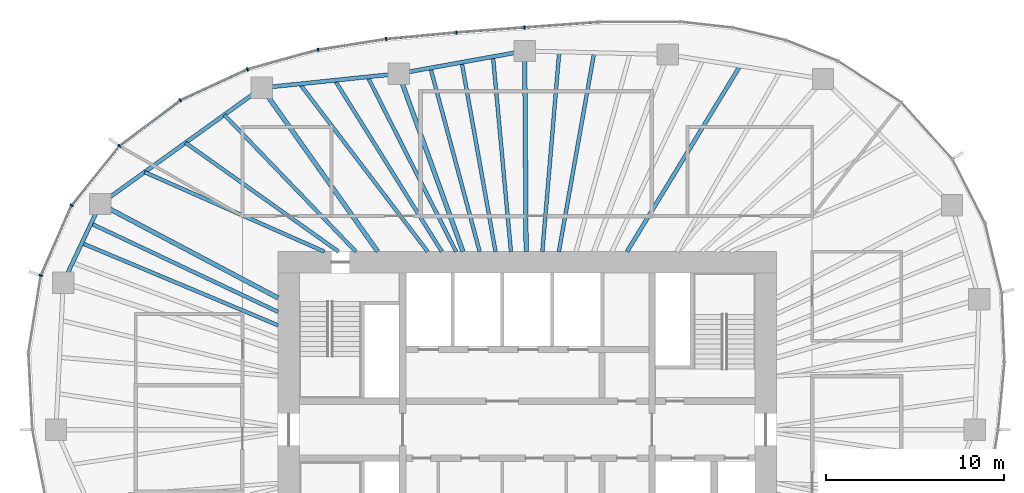
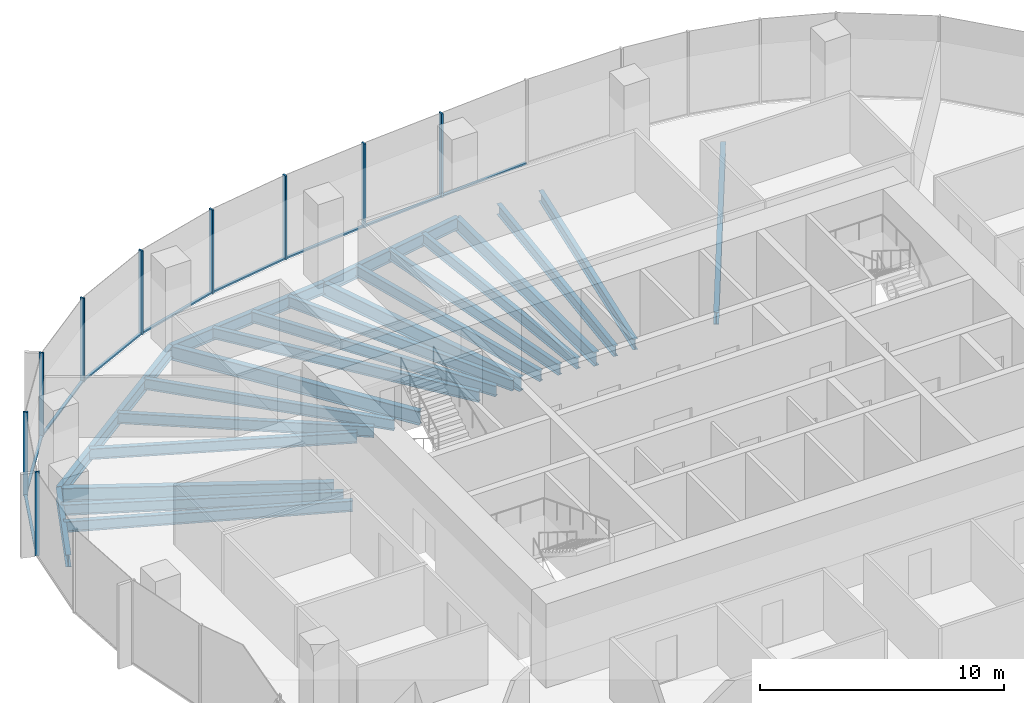
# One storey, part 5 of 11: 22 beams, 18 members, 6 elements without a shape of their own.
"""IFC4 building model written with IfcOpenShell, lengths in metres."""

from ifc_helpers import new_model, si_unit, direction, frame, origin, origin_2d, place, context, subcontext, project, spatial, rectangle, i_section, extrude, material, material_profile, profile_set, type_object, element, aggregate, save


model = new_model("IFC4")

# Units and contexts
model_context = context("Model", 3, precision=1e-05, world=origin(), true_north=direction((0.0, 1.0)))
body_context = subcontext(model_context, "Body", "Model", "MODEL_VIEW")
ifc_project = project(units=[si_unit("LENGTHUNIT", "METRE"), si_unit("AREAUNIT", "SQUARE_METRE"), si_unit("VOLUMEUNIT", "CUBIC_METRE"), si_unit("PLANEANGLEUNIT", "RADIAN"), si_unit("MASSUNIT", "GRAM", prefix="KILO")], contexts=[model_context])

# Site, building, storey
site_placement = place(None, origin())
site = spatial("IfcSite", under=ifc_project, at=site_placement, CompositionType="ELEMENT")
building_placement = place(site_placement, origin())
building = spatial("IfcBuilding", under=site, at=building_placement, Name="Ghaith Harvest Tower", CompositionType="ELEMENT")
storey_placement = place(building_placement, frame((0.0, 0.0, 257.800048828125)))
storey = spatial("IfcBuildingStorey", under=building, at=storey_placement, Name="L57", CompositionType="ELEMENT", Elevation=257.800048828125)

# Curtain wall, members
ifc_material_1 = material(Name="Black anodised aluminium and fritted glass", Category="aluminium")
curtain_wall_type = type_object("IfcCurtainWallType", Name="CW-H CURTAIN WALL", PredefinedType="NOTDEFINED", material=ifc_material_1)
curtain_wall_1_placement = place(storey_placement, origin())
curtain_wall_1 = element("IfcCurtainWall", 1, at=curtain_wall_1_placement, inside=storey, type_object=curtain_wall_type, Name="Curtain wall CW-H bay 06 L57", PredefinedType="NOTDEFINED")
ifc_material_2 = material(Name="Aluminium, black anodised", Category="aluminium")
ifc_material_profile_1 = material_profile(ifc_material_2, rectangle(XDim=0.080078125, YDim=0.199951171875, at=origin_2d()), Name="CW-H MULLION 80x200")
ifc_profile_set_1 = profile_set([ifc_material_profile_1], Name="Aluminium, black anodised")
member_type_1 = type_object("IfcMemberType", Name="CW-H MULLION 80x200", PredefinedType="MULLION", material=ifc_profile_set_1)
member_1_placement = place(storey_placement, frame((-0.154541015625, 22.590576171875, 0.0), z_axis=(0.0, 0.0, 1.0), x_axis=(-0.997329249665, -0.073036756239, 0.0)))
member_1 = element("IfcMember", 2, at=member_1_placement, type_object=member_type_1, Name="CW-H mullion 1 bay 06 L57", PredefinedType="MULLION", context=body_context, shape_type="SweptSolid", body=[
    extrude(rectangle(XDim=0.080078125, YDim=0.199951171875, at=origin_2d()), origin(), (0.0, 0.0, 1.0), 4.199951171875),
])
member_2_placement = place(storey_placement, frame((-3.984375, 22.310302734375, 0.0), z_axis=(0.0, 0.0, 1.0), x_axis=(-0.996522526822, -0.083323787336, 0.0)))
member_2 = element("IfcMember", 3, at=member_2_placement, type_object=member_type_1, Name="CW-H mullion 2 bay 06 L57", PredefinedType="MULLION", context=body_context, shape_type="SweptSolid", body=[
    extrude(rectangle(XDim=0.080078125, YDim=0.199951171875, at=origin_2d()), origin(), (0.0, 0.0, 1.0), 4.199951171875),
])

curtain_wall_2_placement = place(storey_placement, origin())
curtain_wall_2 = element("IfcCurtainWall", 4, at=curtain_wall_2_placement, inside=storey, type_object=curtain_wall_type, Name="Curtain wall CW-H bay 07 L57", PredefinedType="NOTDEFINED")
member_3_placement = place(storey_placement, frame((-7.924560546875, 21.94091796875, 0.0), z_axis=(0.0, 0.0, 1.0), x_axis=(-0.992235485325, -0.124373396119, 0.0)))
member_3 = element("IfcMember", 5, at=member_3_placement, type_object=member_type_1, Name="CW-H mullion 1 bay 07 L57", PredefinedType="MULLION", context=body_context, shape_type="SweptSolid", body=[
    extrude(rectangle(XDim=0.080078125, YDim=0.199951171875, at=origin_2d()), origin(), (0.0, 0.0, 1.0), 4.199951171875),
])
member_4_placement = place(storey_placement, frame((-11.75244140625, 21.336669921875, 0.0), z_axis=(0.0, 0.0, 1.0), x_axis=(-0.977086484172, -0.212842670646, 0.0)))
member_4 = element("IfcMember", 6, at=member_4_placement, type_object=member_type_1, Name="CW-H mullion 2 bay 07 L57", PredefinedType="MULLION", context=body_context, shape_type="SweptSolid", body=[
    extrude(rectangle(XDim=0.080078125, YDim=0.199951171875, at=origin_2d()), origin(), (0.0, 0.0, 1.0), 4.199951171875),
])

curtain_wall_3_placement = place(storey_placement, origin())
curtain_wall_3 = element("IfcCurtainWall", 7, at=curtain_wall_3_placement, inside=storey, type_object=curtain_wall_type, Name="Curtain wall CW-H bay 08 L57", PredefinedType="NOTDEFINED")
member_5_placement = place(storey_placement, frame((-15.720947265625, 20.242431640625, 0.0), z_axis=(0.0, 0.0, 1.0), x_axis=(-0.938930986476, -0.344105510906, 0.0)))
member_5 = element("IfcMember", 8, at=member_5_placement, type_object=member_type_1, Name="CW-H mullion 1 bay 08 L57", PredefinedType="MULLION", context=body_context, shape_type="SweptSolid", body=[
    extrude(rectangle(XDim=0.080078125, YDim=0.199951171875, at=origin_2d()), origin(), (0.0, 0.0, 1.0), 4.199951171875),
])
member_6_placement = place(storey_placement, frame((-19.4951171875, 18.4990234375, 0.0), z_axis=(0.0, 0.0, 1.0), x_axis=(-0.857998754004, -0.513651767376, 0.0)))
member_6 = element("IfcMember", 9, at=member_6_placement, type_object=member_type_1, Name="CW-H mullion 2 bay 08 L57", PredefinedType="MULLION", context=body_context, shape_type="SweptSolid", body=[
    extrude(rectangle(XDim=0.080078125, YDim=0.199951171875, at=origin_2d()), origin(), (0.0, 0.0, 1.0), 4.199951171875),
])

curtain_wall_4_placement = place(storey_placement, origin())
curtain_wall_4 = element("IfcCurtainWall", 10, at=curtain_wall_4_placement, inside=storey, type_object=curtain_wall_type, Name="Curtain wall CW-H bay 09 L57", PredefinedType="NOTDEFINED")
member_7_placement = place(storey_placement, frame((-22.908203125, 15.939697265625, 0.0), z_axis=(0.0, 0.0, 1.0), x_axis=(-0.719146135082, -0.694858860774, 0.0)))
member_7 = element("IfcMember", 11, at=member_7_placement, type_object=member_type_1, Name="CW-H mullion 1 bay 09 L57", PredefinedType="MULLION", context=body_context, shape_type="SweptSolid", body=[
    extrude(rectangle(XDim=0.080078125, YDim=0.199951171875, at=origin_2d()), origin(), (0.0, 0.0, 1.0), 4.199951171875),
])
member_8_placement = place(storey_placement, frame((-25.599609375, 12.6005859375, 0.0), z_axis=(0.0, 0.0, 1.0), x_axis=(-0.518769201232, -0.854914332464, 0.0)))
member_8 = element("IfcMember", 12, at=member_8_placement, type_object=member_type_1, Name="CW-H mullion 2 bay 09 L57", PredefinedType="MULLION", context=body_context, shape_type="SweptSolid", body=[
    extrude(rectangle(XDim=0.080078125, YDim=0.199951171875, at=origin_2d()), origin(), (0.0, 0.0, 1.0), 4.199951171875),
])

# Curtain wall, member
curtain_wall_5_placement = place(storey_placement, origin())
curtain_wall_5 = element("IfcCurtainWall", 13, at=curtain_wall_5_placement, inside=storey, type_object=curtain_wall_type, Name="Curtain wall CW-H bay 10 L57", PredefinedType="NOTDEFINED")
member_9_placement = place(storey_placement, frame((-27.32568359375, 8.659912109375, 0.0), z_axis=(0.0, 0.0, 1.0), x_axis=(-0.280520268431, -0.959848102045, 0.0)))
member_9 = element("IfcMember", 14, at=member_9_placement, type_object=member_type_1, Name="CW-H mullion 1 bay 10 L57", PredefinedType="MULLION", context=body_context, shape_type="SweptSolid", body=[
    extrude(rectangle(XDim=0.080078125, YDim=0.199951171875, at=origin_2d()), origin(), (0.0, 0.0, 1.0), 4.199951171875),
])
aggregate(curtain_wall_5, [member_9])

curtain_wall_6_placement = place(storey_placement, origin())
curtain_wall_6 = element("IfcCurtainWall", 15, at=curtain_wall_6_placement, inside=storey, type_object=curtain_wall_type, Name="Curtain wall CW-H bay 05 L57", PredefinedType="NOTDEFINED")
ifc_material_3 = material(Name="Aluminium, black anodised", Category="aluminium")
ifc_material_profile_2 = material_profile(ifc_material_3, rectangle(XDim=0.1298828125, YDim=0.080078125, at=origin_2d()), Name="CW-H TRANSOM 130x80")
ifc_profile_set_2 = profile_set([ifc_material_profile_2], Name="Aluminium, black anodised")
member_type_2 = type_object("IfcMemberType", Name="CW-H TRANSOM 130x80", PredefinedType="USERDEFINED", material=ifc_profile_set_2)
member_10_placement = place(storey_placement, frame((4.01953125, 22.896484375, 0.0400390625), z_axis=(-0.997325457985, -0.07308851384, 0.0), x_axis=(0.07308851384, -0.997325457985, 0.0)))
member_10 = element("IfcMember", 16, at=member_10_placement, type_object=member_type_2, Name="CW-H transom 2 bay 05 L57", ObjectType="TRANSOM", PredefinedType="USERDEFINED", context=body_context, shape_type="SweptSolid", body=[
    extrude(rectangle(XDim=0.1298828125, YDim=0.080078125, at=origin_2d()), origin(), (0.0, 0.0, 1.0), 4.145263671875),
])
aggregate(curtain_wall_6, [member_10])

# Member
member_11_placement = place(storey_placement, frame((-0.194580078125, 22.587646484375, 0.0400390625), z_axis=(-0.997332916649, -0.072986665689, 0.0), x_axis=(0.072986665689, -0.997332916649, 0.0)))
member_11 = element("IfcMember", 17, at=member_11_placement, type_object=member_type_2, Name="CW-H transom 1 bay 06 L57", ObjectType="TRANSOM", PredefinedType="USERDEFINED", context=body_context, shape_type="SweptSolid", body=[
    extrude(rectangle(XDim=0.1298828125, YDim=0.080078125, at=origin_2d()), origin(), (0.0, 0.0, 1.0), 3.759765625),
])

member_12_placement = place(storey_placement, frame((-4.024169921875, 22.306640625, 0.0400390625), z_axis=(-0.995631116984, -0.093373866217, 0.0), x_axis=(0.093373866217, -0.995631116984, 0.0)))
member_12 = element("IfcMember", 18, at=member_12_placement, type_object=member_type_2, Name="CW-H transom 2 bay 06 L57", ObjectType="TRANSOM", PredefinedType="USERDEFINED", context=body_context, shape_type="SweptSolid", body=[
    extrude(rectangle(XDim=0.1298828125, YDim=0.080078125, at=origin_2d()), origin(), (0.0, 0.0, 1.0), 3.87744140625),
])

aggregate(curtain_wall_1, [member_1, member_11, member_2, member_12])

member_13_placement = place(storey_placement, frame((-7.964111328125, 21.9345703125, 0.0400390625), z_axis=(-0.98776765914, -0.155932843097, 0.0), x_axis=(0.155932843097, -0.98776765914, 0.0)))
member_13 = element("IfcMember", 19, at=member_13_placement, type_object=member_type_2, Name="CW-H transom 1 bay 07 L57", ObjectType="TRANSOM", PredefinedType="USERDEFINED", context=body_context, shape_type="SweptSolid", body=[
    extrude(rectangle(XDim=0.1298828125, YDim=0.080078125, at=origin_2d()), origin(), (0.0, 0.0, 1.0), 3.795166015625),
])

member_14_placement = place(storey_placement, frame((-11.791015625, 21.325927734375, 0.0400390625), z_axis=(-0.964038584245, -0.265762315024, 0.0), x_axis=(0.265762315024, -0.964038584245, 0.0)))
member_14 = element("IfcMember", 20, at=member_14_placement, type_object=member_type_2, Name="CW-H transom 2 bay 07 L57", ObjectType="TRANSOM", PredefinedType="USERDEFINED", context=body_context, shape_type="SweptSolid", body=[
    extrude(rectangle(XDim=0.1298828125, YDim=0.080078125, at=origin_2d()), origin(), (0.0, 0.0, 1.0), 4.03662109375),
])

aggregate(curtain_wall_2, [member_3, member_13, member_4, member_14])

member_15_placement = place(storey_placement, frame((-15.75732421875, 20.2255859375, 0.0400390625), z_axis=(-0.907831404762, -0.419335355686, 0.0), x_axis=(0.419335355686, -0.907831404762, 0.0)))
member_15 = element("IfcMember", 21, at=member_15_placement, type_object=member_type_2, Name="CW-H transom 1 bay 08 L57", ObjectType="TRANSOM", PredefinedType="USERDEFINED", context=body_context, shape_type="SweptSolid", body=[
    extrude(rectangle(XDim=0.1298828125, YDim=0.080078125, at=origin_2d()), origin(), (0.0, 0.0, 1.0), 4.0771484375),
])

member_16_placement = place(storey_placement, frame((-19.527099609375, 18.47509765625, 0.0400390625), z_axis=(-0.800041988873, -0.599944010755, 0.0), x_axis=(0.599944010755, -0.800041988873, 0.0)))
member_16 = element("IfcMember", 22, at=member_16_placement, type_object=member_type_2, Name="CW-H transom 2 bay 08 L57", ObjectType="TRANSOM", PredefinedType="USERDEFINED", context=body_context, shape_type="SweptSolid", body=[
    extrude(rectangle(XDim=0.1298828125, YDim=0.080078125, at=origin_2d()), origin(), (0.0, 0.0, 1.0), 4.186279296875),
])

aggregate(curtain_wall_3, [member_5, member_15, member_6, member_16])

member_17_placement = place(storey_placement, frame((-22.933349609375, 15.90869140625, 0.0400390625), z_axis=(-0.6275347306, -0.778588570357, 0.0), x_axis=(0.778588570357, -0.6275347306, 0.0)))
member_17 = element("IfcMember", 23, at=member_17_placement, type_object=member_type_2, Name="CW-H transom 1 bay 09 L57", ObjectType="TRANSOM", PredefinedType="USERDEFINED", context=body_context, shape_type="SweptSolid", body=[
    extrude(rectangle(XDim=0.1298828125, YDim=0.080078125, at=origin_2d()), origin(), (0.0, 0.0, 1.0), 4.208740234375),
])

member_18_placement = place(storey_placement, frame((-25.61572265625, 12.56396484375, 0.0400390625), z_axis=(-0.401185844746, -0.915996680112, 0.0), x_axis=(0.915996680112, -0.401185844746, 0.0)))
member_18 = element("IfcMember", 24, at=member_18_placement, type_object=member_type_2, Name="CW-H transom 2 bay 09 L57", ObjectType="TRANSOM", PredefinedType="USERDEFINED", context=body_context, shape_type="SweptSolid", body=[
    extrude(rectangle(XDim=0.1298828125, YDim=0.080078125, at=origin_2d()), origin(), (0.0, 0.0, 1.0), 4.22216796875),
])

aggregate(curtain_wall_4, [member_7, member_17, member_8, member_18])

# Beams
ifc_material_4 = material(Name="Steel ASTM A992 Grade 50", Category="steel")
ifc_material_profile_3 = material_profile(ifc_material_4, i_section(OverallWidth=0.22900390625, OverallDepth=0.612060546875, WebThickness=0.011962890625, FlangeThickness=0.01953125, at=origin_2d()), Name="W610X125")
ifc_profile_set_3 = profile_set([ifc_material_profile_3], Name="Steel ASTM A992 Grade 50")
beam_type_1 = type_object("IfcBeamType", Name="E610-125 W610X125", PredefinedType="SPANDREL", material=ifc_profile_set_3)
beam_1_placement = place(storey_placement, frame((-0.14599609375, 21.27099609375, -0.47607421875), z_axis=(-0.984177047684, -0.177187863051, 0.0), x_axis=(0.177187863051, -0.984177047684, 0.0)))
element("IfcBeam", 25, at=beam_1_placement, inside=storey, type_object=beam_type_1, Name="Edge beam E06 L57", PredefinedType="SPANDREL", context=body_context, shape_type="SweptSolid", body=[
    extrude(i_section(OverallWidth=0.22900390625, OverallDepth=0.612060546875, WebThickness=0.011962890625, FlangeThickness=0.01953125, at=origin_2d()), origin(), (0.0, 0.0, 1.0), 7.189697265625),
])
beam_2_placement = place(storey_placement, frame((-7.221923828125, 19.9970703125, -0.47607421875), z_axis=(-0.994669141618, -0.103117887451, 0.0), x_axis=(0.103117887451, -0.994669141618, 0.0)))
element("IfcBeam", 26, at=beam_2_placement, inside=storey, type_object=beam_type_1, Name="Edge beam E07 L57", PredefinedType="SPANDREL", context=body_context, shape_type="SweptSolid", body=[
    extrude(i_section(OverallWidth=0.22900390625, OverallDepth=0.612060546875, WebThickness=0.011962890625, FlangeThickness=0.01953125, at=origin_2d()), origin(), (0.0, 0.0, 1.0), 7.730224609375),
])
beam_3_placement = place(storey_placement, frame((-14.910888671875, 19.199951171875, -0.47607421875), z_axis=(-0.812050311838, -0.583587432219, 0.0), x_axis=(0.583587432219, -0.812050311838, 0.0)))
element("IfcBeam", 27, at=beam_3_placement, inside=storey, type_object=beam_type_1, Name="Edge beam E08 L57", PredefinedType="SPANDREL", context=body_context, shape_type="SweptSolid", body=[
    extrude(i_section(OverallWidth=0.22900390625, OverallDepth=0.612060546875, WebThickness=0.011962890625, FlangeThickness=0.01953125, at=origin_2d()), origin(), (0.0, 0.0, 1.0), 11.175537109375),
])
beam_4_placement = place(storey_placement, frame((-23.986083984375, 12.677978515625, -0.47607421875), z_axis=(-0.426170247297, -0.904642979478, 0.0), x_axis=(0.904642979478, -0.426170247297, 0.0)))
element("IfcBeam", 28, at=beam_4_placement, inside=storey, type_object=beam_type_1, Name="Edge beam E09 L57", PredefinedType="SPANDREL", context=body_context, shape_type="SweptSolid", body=[
    extrude(i_section(OverallWidth=0.22900390625, OverallDepth=0.612060546875, WebThickness=0.011962890625, FlangeThickness=0.01953125, at=origin_2d()), origin(), (0.0, 0.0, 1.0), 4.882568359375),
])
ifc_material_5 = material(Name="Steel ASTM A992 Grade 50", Category="steel")
ifc_material_profile_4 = material_profile(ifc_material_5, i_section(OverallWidth=0.256103515625, OverallDepth=0.693115234375, WebThickness=0.014404296875, FlangeThickness=0.023681640625, at=origin_2d()), Name="W690X170")
ifc_profile_set_4 = profile_set([ifc_material_profile_4], Name="Steel ASTM A992 Grade 50")
beam_type_2 = type_object("IfcBeamType", Name="G690-170 W690X170", PredefinedType="BEAM", material=ifc_profile_set_4)
beam_5_placement = place(storey_placement, frame((-0.068359375, 10.0, -0.5166015625), z_axis=(-0.006888022705, 0.99997627729, 0.0), x_axis=(-0.99997627729, -0.006888022705, 0.0)))
element("IfcBeam", 29, at=beam_5_placement, inside=storey, type_object=beam_type_2, Name="Radial girder G06 L57", PredefinedType="BEAM", context=body_context, shape_type="SweptSolid", body=[
    extrude(i_section(OverallWidth=0.256103515625, OverallDepth=0.693115234375, WebThickness=0.014404296875, FlangeThickness=0.023681640625, at=origin_2d()), origin(), (0.0, 0.0, 1.0), 11.271240234375),
])
beam_6_placement = place(storey_placement, frame((-3.61181640625, 10.0, -0.5166015625), z_axis=(-0.339648979266, 0.940552269086, 0.0), x_axis=(-0.940552269086, -0.339648979266, 0.0)))
element("IfcBeam", 30, at=beam_6_placement, inside=storey, type_object=beam_type_2, Name="Radial girder G07 L57", PredefinedType="BEAM", context=body_context, shape_type="SweptSolid", body=[
    extrude(i_section(OverallWidth=0.256103515625, OverallDepth=0.693115234375, WebThickness=0.014404296875, FlangeThickness=0.023681640625, at=origin_2d()), origin(), (0.0, 0.0, 1.0), 10.62890625),
])
beam_7_placement = place(storey_placement, frame((-8.39990234375, 10.0, -0.5166015625), z_axis=(-0.577683734365, 0.816260683268, 0.0), x_axis=(-0.816260683268, -0.577683734365, 0.0)))
element("IfcBeam", 31, at=beam_7_placement, inside=storey, type_object=beam_type_2, Name="Radial girder G08 L57", PredefinedType="BEAM", context=body_context, shape_type="SweptSolid", body=[
    extrude(i_section(OverallWidth=0.256103515625, OverallDepth=0.693115234375, WebThickness=0.014404296875, FlangeThickness=0.023681640625, at=origin_2d()), origin(), (0.0, 0.0, 1.0), 11.270751953125),
])
beam_8_placement = place(storey_placement, frame((-14.0, 7.39990234375, -0.5166015625), z_axis=(-0.884105273337, 0.467287776062, 0.0), x_axis=(-0.467287776062, -0.884105273337, 0.0)))
element("IfcBeam", 32, at=beam_8_placement, inside=storey, type_object=beam_type_2, Name="Radial girder G09 L57", PredefinedType="BEAM", context=body_context, shape_type="SweptSolid", body=[
    extrude(i_section(OverallWidth=0.256103515625, OverallDepth=0.693115234375, WebThickness=0.014404296875, FlangeThickness=0.023681640625, at=origin_2d()), origin(), (0.0, 0.0, 1.0), 11.295166015625),
])
ifc_material_6 = material(Name="Steel ASTM A992 Grade 50", Category="steel")
ifc_material_profile_5 = material_profile(ifc_material_6, i_section(OverallWidth=0.2109375, OverallDepth=0.5390625, WebThickness=0.01171875, FlangeThickness=0.018798828125, at=origin_2d()), Name="W530X109")
ifc_profile_set_5 = profile_set([ifc_material_profile_5], Name="Steel ASTM A992 Grade 50")
beam_type_3 = type_object("IfcBeamType", Name="J530-109 W530X109", PredefinedType="JOIST", material=ifc_profile_set_5)
beam_9_placement = place(storey_placement, frame((1.772705078125, 10.0, -0.439453125), z_axis=(0.17455599258, 0.984647249249, 0.0), x_axis=(-0.984647249249, 0.17455599258, 0.0)))
element("IfcBeam", 33, at=beam_9_placement, inside=storey, type_object=beam_type_3, Name="Joist J05.2 L57", PredefinedType="JOIST", context=body_context, shape_type="SweptSolid", body=[
    extrude(i_section(OverallWidth=0.2109375, OverallDepth=0.5390625, WebThickness=0.01171875, FlangeThickness=0.018798828125, at=origin_2d()), origin(), (0.0, 0.0, 1.0), 11.3486328125),
])
beam_10_placement = place(storey_placement, frame((0.844970703125, 10.0, -0.439453125), z_axis=(0.084213263804, 0.996447753873, 0.0), x_axis=(-0.996447753873, 0.084213263804, 0.0)))
element("IfcBeam", 34, at=beam_10_placement, inside=storey, type_object=beam_type_3, Name="Joist J05.3 L57", PredefinedType="JOIST", context=body_context, shape_type="SweptSolid", body=[
    extrude(i_section(OverallWidth=0.2109375, OverallDepth=0.5390625, WebThickness=0.01171875, FlangeThickness=0.018798828125, at=origin_2d()), origin(), (0.0, 0.0, 1.0), 11.262939453125),
])
beam_11_placement = place(storey_placement, frame((-0.92041015625, 10.0, -0.439453125), z_axis=(-0.091648687045, 0.995791402937, 0.0), x_axis=(-0.995791402937, -0.091648687045, 0.0)))
element("IfcBeam", 35, at=beam_11_placement, inside=storey, type_object=beam_type_3, Name="Joist J06.1 L57", PredefinedType="JOIST", context=body_context, shape_type="SweptSolid", body=[
    extrude(i_section(OverallWidth=0.2109375, OverallDepth=0.5390625, WebThickness=0.01171875, FlangeThickness=0.018798828125, at=origin_2d()), origin(), (0.0, 0.0, 1.0), 10.99658203125),
])
beam_12_placement = place(storey_placement, frame((-1.785888671875, 10.0, -0.439453125), z_axis=(-0.175793767479, 0.984427016754, 0.0), x_axis=(-0.984427016754, -0.175793767479, 0.0)))
element("IfcBeam", 36, at=beam_12_placement, inside=storey, type_object=beam_type_3, Name="Joist J06.2 L57", PredefinedType="JOIST", context=body_context, shape_type="SweptSolid", body=[
    extrude(i_section(OverallWidth=0.2109375, OverallDepth=0.5390625, WebThickness=0.01171875, FlangeThickness=0.018798828125, at=origin_2d()), origin(), (0.0, 0.0, 1.0), 10.802001953125),
])
beam_13_placement = place(storey_placement, frame((-2.677978515625, 10.0, -0.439453125), z_axis=(-0.258674007994, 0.965964677195, 0.0), x_axis=(-0.965964677195, -0.258674007994, 0.0)))
element("IfcBeam", 37, at=beam_13_placement, inside=storey, type_object=beam_type_3, Name="Joist J06.3 L57", PredefinedType="JOIST", context=body_context, shape_type="SweptSolid", body=[
    extrude(i_section(OverallWidth=0.2109375, OverallDepth=0.5390625, WebThickness=0.01171875, FlangeThickness=0.018798828125, at=origin_2d()), origin(), (0.0, 0.0, 1.0), 10.68115234375),
])
beam_14_placement = place(storey_placement, frame((-4.0, 10.0, -0.439453125), z_axis=(-0.451646219201, 0.892197115374, 0.0), x_axis=(-0.892197115374, -0.451646219201, 0.0)))
element("IfcBeam", 38, at=beam_14_placement, inside=storey, type_object=beam_type_3, Name="Joist J07.1 L57", PredefinedType="JOIST", context=body_context, shape_type="SweptSolid", body=[
    extrude(i_section(OverallWidth=0.2109375, OverallDepth=0.5390625, WebThickness=0.01171875, FlangeThickness=0.018798828125, at=origin_2d()), origin(), (0.0, 0.0, 1.0), 11.001953125),
])
beam_15_placement = place(storey_placement, frame((-4.800048828125, 10.0, -0.439453125), z_axis=(-0.529627564093, 0.848230300893, 0.0), x_axis=(-0.848230300893, -0.529627564093, 0.0)))
element("IfcBeam", 39, at=beam_15_placement, inside=storey, type_object=beam_type_3, Name="Joist J07.2 L57", PredefinedType="JOIST", context=body_context, shape_type="SweptSolid", body=[
    extrude(i_section(OverallWidth=0.2109375, OverallDepth=0.5390625, WebThickness=0.01171875, FlangeThickness=0.018798828125, at=origin_2d()), origin(), (0.0, 0.0, 1.0), 11.34716796875),
])
beam_16_placement = place(storey_placement, frame((-5.60009765625, 10.0, -0.439453125), z_axis=(-0.605976135502, 0.795482823952, 0.0), x_axis=(-0.795482823952, -0.605976135502, 0.0)))
element("IfcBeam", 40, at=beam_16_placement, inside=storey, type_object=beam_type_3, Name="Joist J07.3 L57", PredefinedType="JOIST", context=body_context, shape_type="SweptSolid", body=[
    extrude(i_section(OverallWidth=0.2109375, OverallDepth=0.5390625, WebThickness=0.01171875, FlangeThickness=0.018798828125, at=origin_2d()), origin(), (0.0, 0.0, 1.0), 11.84326171875),
])
beam_17_placement = place(storey_placement, frame((-9.626708984375, 10.0, -0.439453125), z_axis=(-0.69354049188, 0.720417647009, 0.0), x_axis=(-0.720417647009, -0.69354049188, 0.0)))
element("IfcBeam", 41, at=beam_17_placement, inside=storey, type_object=beam_type_3, Name="Joist J08.1 L57", PredefinedType="JOIST", context=body_context, shape_type="SweptSolid", body=[
    extrude(i_section(OverallWidth=0.2109375, OverallDepth=0.5390625, WebThickness=0.01171875, FlangeThickness=0.018798828125, at=origin_2d()), origin(), (0.0, 0.0, 1.0), 10.6640625),
])
beam_18_placement = place(storey_placement, frame((-10.60009765625, 10.0, -0.439453125), z_axis=(-0.814837070547, 0.579690045164, 0.0), x_axis=(-0.579690045164, -0.814837070547, 0.0)))
element("IfcBeam", 42, at=beam_18_placement, inside=storey, type_object=beam_type_3, Name="Joist J08.2 L57", PredefinedType="JOIST", context=body_context, shape_type="SweptSolid", body=[
    extrude(i_section(OverallWidth=0.2109375, OverallDepth=0.5390625, WebThickness=0.01171875, FlangeThickness=0.018798828125, at=origin_2d()), origin(), (0.0, 0.0, 1.0), 10.5537109375),
])
beam_19_placement = place(storey_placement, frame((-11.39990234375, 10.0, -0.439453125), z_axis=(-0.914561290029, 0.40444733499, 0.0), x_axis=(-0.40444733499, -0.914561290029, 0.0)))
element("IfcBeam", 43, at=beam_19_placement, inside=storey, type_object=beam_type_3, Name="Joist J08.3 L57", PredefinedType="JOIST", context=body_context, shape_type="SweptSolid", body=[
    extrude(i_section(OverallWidth=0.2109375, OverallDepth=0.5390625, WebThickness=0.01171875, FlangeThickness=0.018798828125, at=origin_2d()), origin(), (0.0, 0.0, 1.0), 11.041748046875),
])
beam_20_placement = place(storey_placement, frame((-14.0, 6.614990234375, -0.439453125), z_axis=(-0.904154184779, 0.427206285238, 0.0), x_axis=(-0.427206285238, -0.904154184779, 0.0)))
element("IfcBeam", 44, at=beam_20_placement, inside=storey, type_object=beam_type_3, Name="Joist J09.1 L57", PredefinedType="JOIST", context=body_context, shape_type="SweptSolid", body=[
    extrude(i_section(OverallWidth=0.2109375, OverallDepth=0.5390625, WebThickness=0.01171875, FlangeThickness=0.018798828125, at=origin_2d()), origin(), (0.0, 0.0, 1.0), 11.61767578125),
])
beam_21_placement = place(storey_placement, frame((-14.0, 5.862548828125, -0.439453125), z_axis=(-0.922380898158, 0.386281605455, 0.0), x_axis=(-0.386281605455, -0.922380898158, 0.0)))
element("IfcBeam", 45, at=beam_21_placement, inside=storey, type_object=beam_type_3, Name="Joist J09.2 L57", PredefinedType="JOIST", context=body_context, shape_type="SweptSolid", body=[
    extrude(i_section(OverallWidth=0.2109375, OverallDepth=0.5390625, WebThickness=0.01171875, FlangeThickness=0.018798828125, at=origin_2d()), origin(), (0.0, 0.0, 1.0), 11.94970703125),
])
ifc_material_7 = material(Name="Steel ASTM A992 Grade 50", Category="steel")
ifc_material_profile_6 = material_profile(ifc_material_7, i_section(OverallWidth=0.22900390625, OverallDepth=0.612060546875, WebThickness=0.011962890625, FlangeThickness=0.01953125, at=origin_2d()), Name="W610X125")
ifc_profile_set_6 = profile_set([ifc_material_profile_6], Name="Steel ASTM A992 Grade 50")
beam_type_4 = type_object("IfcBeamType", Name="J610-125 W610X125", PredefinedType="JOIST", material=ifc_profile_set_6)
beam_22_placement = place(storey_placement, frame((5.60009765625, 10.0, -0.47607421875), z_axis=(0.519863845761, 0.854249133374, 0.0), x_axis=(-0.854249133374, 0.519863845761, 0.0)))
element("IfcBeam", 46, at=beam_22_placement, inside=storey, type_object=beam_type_4, Name="Joist J04.2 L57", PredefinedType="JOIST", context=body_context, shape_type="SweptSolid", body=[
    extrude(i_section(OverallWidth=0.22900390625, OverallDepth=0.612060546875, WebThickness=0.011962890625, FlangeThickness=0.01953125, at=origin_2d()), origin(), (0.0, 0.0, 1.0), 12.209716796875),
])

save(model, "model.ifc")
